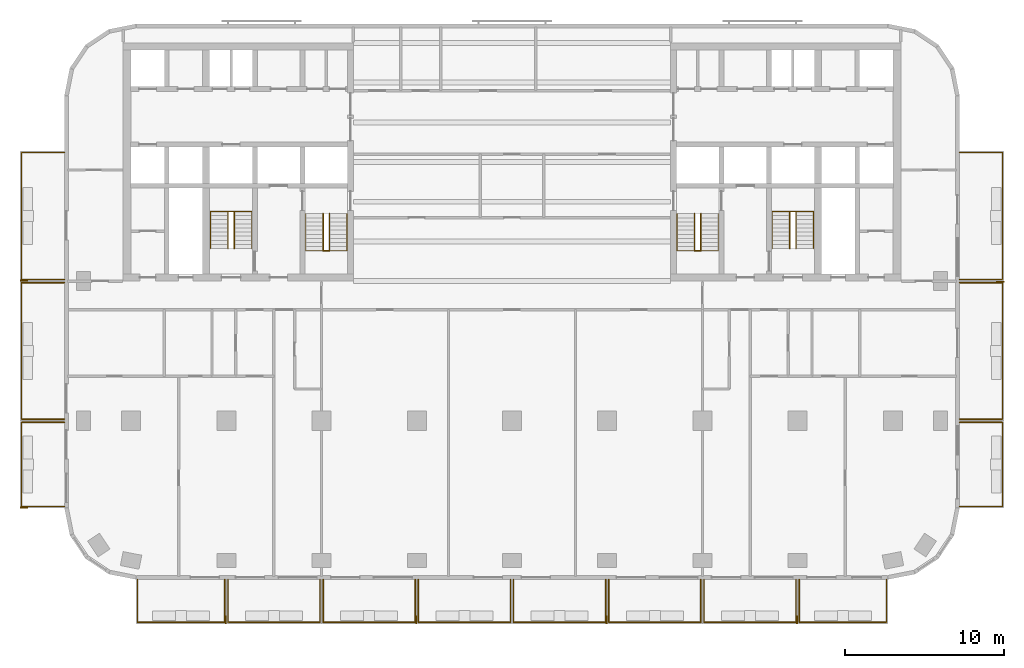
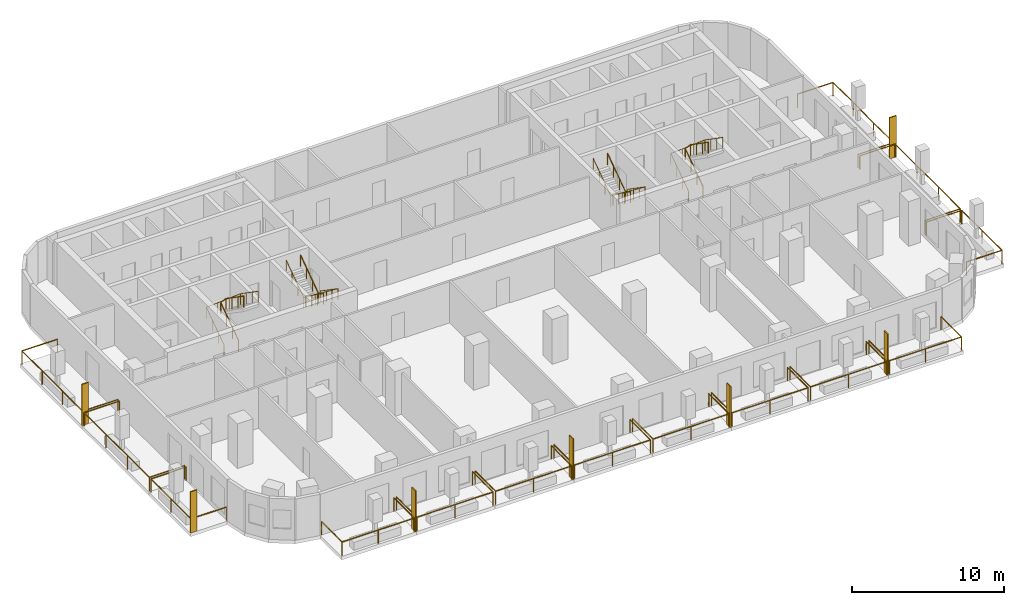
# One storey, part 9 of 11: 22 railings, 7 shading devices.
"""IFC4 building model written with IfcOpenShell, lengths in metres."""

from ifc_helpers import new_model, si_unit, direction, frame, origin, origin_2d, place, context, subcontext, project, spatial, rectangle, circle, extrude, material, layer, layer_set, type_object, element, save


model = new_model("IFC4")

# Units and contexts
model_context = context("Model", 3, precision=1e-05, world=origin(), true_north=direction((0.0, 1.0)))
body_context = subcontext(model_context, "Body", "Model", "MODEL_VIEW")
ifc_project = project(units=[si_unit("LENGTHUNIT", "METRE"), si_unit("AREAUNIT", "SQUARE_METRE"), si_unit("VOLUMEUNIT", "CUBIC_METRE"), si_unit("PLANEANGLEUNIT", "RADIAN"), si_unit("MASSUNIT", "GRAM", prefix="KILO")], contexts=[model_context])

# Site, building, storey
site_placement = place(None, origin())
site = spatial("IfcSite", under=ifc_project, at=site_placement, CompositionType="ELEMENT")
building_placement = place(site_placement, origin())
building = spatial("IfcBuilding", under=site, at=building_placement, Name="Torana Hotel and Residences", CompositionType="ELEMENT")
storey_placement = place(building_placement, frame((0.0, 0.0, 152.39990234375)))
storey = spatial("IfcBuildingStorey", under=building, at=storey_placement, Name="L39", CompositionType="ELEMENT", Elevation=152.39990234375)

# Shading devices
ifc_material_1 = material(Name="Black powder coated aluminium", Category="aluminium")
ifc_layer = layer(ifc_material_1, 0.080078125)
ifc_layer_set = layer_set([ifc_layer], Name="FN1 VERTICAL FIN 500x80")
shading_device_type = type_object("IfcShadingDeviceType", Name="FN1 VERTICAL FIN 500x80", PredefinedType="USERDEFINED", material=ifc_layer_set)
for number, where, z_axis, x_axis, name in (
    (1, (-18.0400390625, -36.35009765625, 0.0), (0.0, 0.0, 1.0), (-1.0, 0.0, 0.0), "Fin 01"),
    (2, (-6.0400390625, -36.35009765625, 0.0), (0.0, 0.0, 1.0), (-1.0, 0.0, 0.0), "Fin 03"),
    (3, (5.9599609375, -36.35009765625, 0.0), (0.0, 0.0, 1.0), (-1.0, 0.0, 0.0), "Fin 05"),
    (4, (17.9599609375, -36.35009765625, 0.0), (0.0, 0.0, 1.0), (-1.0, 0.0, 0.0), "Fin 07"),
    (5, (-30.75, -29.260009765625, 0.0), (0.0, 0.0, 1.0), (0.0, 1.0, 0.0), "Fin 09"),
    (6, (-30.75, -14.9599609375, 0.0), (0.0, 0.0, 1.0), (0.0, 1.0, 0.0), "Fin 11"),
    (7, (30.75, -15.0400390625, 0.0), (0.0, 0.0, 1.0), (0.0, -1.0, 0.0), "Fin 13"),
):
    element("IfcShadingDevice", number, at=place(storey_placement, frame(where, z_axis=z_axis, x_axis=x_axis)), inside=storey, type_object=shading_device_type, Name=name, ObjectType="FIN", PredefinedType="USERDEFINED", context=body_context, shape_type="SweptSolid", body=[
        extrude(rectangle(XDim=0.080078125, YDim=0.5, at=origin_2d()), origin(), (0.0, 0.0, 1.0), 3.320068359375),
    ])

# Railings
ifc_material_2 = material(Name="Laminated glass balustrade with black handrail", Category="glass")
railing_type_1 = type_object("IfcRailingType", Name="GR1 BALCONY GUARD 1100 GLASS", PredefinedType="GUARDRAIL", material=ifc_material_2)
railing_1_placement = place(storey_placement, frame((-18.10009765625, -33.800048828125, 0.0)))
element("IfcRailing", 8, at=railing_1_placement, inside=storey, type_object=railing_type_1, Name="Balcony guard 01", PredefinedType="GUARDRAIL", context=body_context, shape_type="SweptSolid", body=[
    extrude(circle(Radius=0.02392578125, at=origin_2d()), frame((0.0, 0.0, 1.076171875), z_axis=(0.0, -1.0, 0.0), x_axis=(1.0, 0.0, 0.0)), (0.0, 0.0, 1.0), 2.699951171875),
    extrude(circle(Radius=0.02392578125, at=origin_2d()), frame((0.0, -2.699951171875, 1.076171875), z_axis=(-1.0, 0.0, 0.0), x_axis=(0.0, -1.0, 0.0)), (0.0, 0.0, 1.0), 5.5),
    extrude(circle(Radius=0.02392578125, at=origin_2d()), frame((-5.5, -2.699951171875, 1.076171875), z_axis=(0.0, 1.0, 0.0), x_axis=(-1.0, 0.0, 0.0)), (0.0, 0.0, 1.0), 2.699951171875),
    extrude(circle(Radius=0.02099609375, at=origin_2d()), origin(), (0.0, 0.0, 1.0), 1.052001953125),
    extrude(circle(Radius=0.02099609375, at=origin_2d()), frame((0.0, -2.699951171875, 0.0)), (0.0, 0.0, 1.0), 1.052001953125),
    extrude(circle(Radius=0.02099609375, at=origin_2d()), frame((-2.75, -2.699951171875, 0.0)), (0.0, 0.0, 1.0), 1.052001953125),
    extrude(circle(Radius=0.02099609375, at=origin_2d()), frame((-5.5, -2.699951171875, 0.0)), (0.0, 0.0, 1.0), 1.052001953125),
    extrude(circle(Radius=0.02099609375, at=origin_2d()), frame((-5.5, 0.0, 0.0)), (0.0, 0.0, 1.0), 1.052001953125),
])
for number, where, name in (
    (9, (-12.10009765625, -33.800048828125, 0.0), "Balcony guard 02"),
    (10, (-6.10009765625, -33.800048828125, 0.0), "Balcony guard 03"),
    (11, (-0.10009765625, -33.800048828125, 0.0), "Balcony guard 04"),
    (12, (5.89990234375, -33.800048828125, 0.0), "Balcony guard 05"),
    (13, (11.89990234375, -33.800048828125, 0.0), "Balcony guard 06"),
    (14, (17.89990234375, -33.800048828125, 0.0), "Balcony guard 07"),
):
    element("IfcRailing", number, at=place(storey_placement, frame(where)), inside=storey, type_object=railing_type_1, Name=name, PredefinedType="GUARDRAIL", context=body_context, shape_type="SweptSolid", body=[
        extrude(circle(Radius=0.02392578125, at=origin_2d()), frame((0.0, 0.0, 1.076171875), z_axis=(0.0, -1.0, 0.0), x_axis=(1.0, 0.0, 0.0)), (0.0, 0.0, 1.0), 2.699951171875),
        extrude(circle(Radius=0.02392578125, at=origin_2d()), frame((0.0, -2.699951171875, 1.076171875), z_axis=(-1.0, 0.0, 0.0), x_axis=(0.0, -1.0, 0.0)), (0.0, 0.0, 1.0), 5.7998046875),
        extrude(circle(Radius=0.02392578125, at=origin_2d()), frame((-5.7998046875, -2.699951171875, 1.076171875), z_axis=(0.0, 1.0, 0.0), x_axis=(-1.0, 0.0, 0.0)), (0.0, 0.0, 1.0), 2.699951171875),
        extrude(circle(Radius=0.02099609375, at=origin_2d()), origin(), (0.0, 0.0, 1.0), 1.052001953125),
        extrude(circle(Radius=0.02099609375, at=origin_2d()), frame((0.0, -2.699951171875, 0.0)), (0.0, 0.0, 1.0), 1.052001953125),
        extrude(circle(Radius=0.02099609375, at=origin_2d()), frame((-2.89990234375, -2.699951171875, 0.0)), (0.0, 0.0, 1.0), 1.052001953125),
        extrude(circle(Radius=0.02099609375, at=origin_2d()), frame((-5.7998046875, -2.699951171875, 0.0)), (0.0, 0.0, 1.0), 1.052001953125),
        extrude(circle(Radius=0.02099609375, at=origin_2d()), frame((-5.7998046875, 0.0, 0.0)), (0.0, 0.0, 1.0), 1.052001953125),
    ])
railing_2_placement = place(storey_placement, frame((23.60009765625, -33.800048828125, 0.0)))
element("IfcRailing", 15, at=railing_2_placement, inside=storey, type_object=railing_type_1, Name="Balcony guard 08", PredefinedType="GUARDRAIL", context=body_context, shape_type="SweptSolid", body=[
    extrude(circle(Radius=0.02392578125, at=origin_2d()), frame((0.0, 0.0, 1.076171875), z_axis=(0.0, -1.0, 0.0), x_axis=(1.0, 0.0, 0.0)), (0.0, 0.0, 1.0), 2.699951171875),
    extrude(circle(Radius=0.02392578125, at=origin_2d()), frame((0.0, -2.699951171875, 1.076171875), z_axis=(-1.0, 0.0, 0.0), x_axis=(0.0, -1.0, 0.0)), (0.0, 0.0, 1.0), 5.5),
    extrude(circle(Radius=0.02392578125, at=origin_2d()), frame((-5.5, -2.699951171875, 1.076171875), z_axis=(0.0, 1.0, 0.0), x_axis=(-1.0, 0.0, 0.0)), (0.0, 0.0, 1.0), 2.699951171875),
    extrude(circle(Radius=0.02099609375, at=origin_2d()), origin(), (0.0, 0.0, 1.0), 1.052001953125),
    extrude(circle(Radius=0.02099609375, at=origin_2d()), frame((0.0, -2.699951171875, 0.0)), (0.0, 0.0, 1.0), 1.052001953125),
    extrude(circle(Radius=0.02099609375, at=origin_2d()), frame((-2.75, -2.699951171875, 0.0)), (0.0, 0.0, 1.0), 1.052001953125),
    extrude(circle(Radius=0.02099609375, at=origin_2d()), frame((-5.5, -2.699951171875, 0.0)), (0.0, 0.0, 1.0), 1.052001953125),
    extrude(circle(Radius=0.02099609375, at=origin_2d()), frame((-5.5, 0.0, 0.0)), (0.0, 0.0, 1.0), 1.052001953125),
])
railing_3_placement = place(storey_placement, frame((-28.199951171875, -29.199951171875, 0.0)))
element("IfcRailing", 16, at=railing_3_placement, inside=storey, type_object=railing_type_1, Name="Balcony guard 09", PredefinedType="GUARDRAIL", context=body_context, shape_type="SweptSolid", body=[
    extrude(circle(Radius=0.02392578125, at=origin_2d()), frame((0.0, 0.0, 1.076171875), z_axis=(-1.0, 0.0, 0.0), x_axis=(0.0, -1.0, 0.0)), (0.0, 0.0, 1.0), 2.699951171875),
    extrude(circle(Radius=0.02392578125, at=origin_2d()), frame((-2.699951171875, 0.0, 1.076171875), z_axis=(0.0, 1.0, 0.0), x_axis=(-1.0, 0.0, 0.0)), (0.0, 0.0, 1.0), 5.300048828125),
    extrude(circle(Radius=0.02392578125, at=origin_2d()), frame((-2.699951171875, 5.300048828125, 1.076171875), z_axis=(1.0, 0.0, 0.0), x_axis=(0.0, 1.0, 0.0)), (0.0, 0.0, 1.0), 2.699951171875),
    extrude(circle(Radius=0.02099609375, at=origin_2d()), origin(), (0.0, 0.0, 1.0), 1.052001953125),
    extrude(circle(Radius=0.02099609375, at=origin_2d()), frame((-2.699951171875, 0.0, 0.0)), (0.0, 0.0, 1.0), 1.052001953125),
    extrude(circle(Radius=0.02099609375, at=origin_2d()), frame((-2.699951171875, 2.64990234375, 0.0)), (0.0, 0.0, 1.0), 1.052001953125),
    extrude(circle(Radius=0.02099609375, at=origin_2d()), frame((-2.699951171875, 5.300048828125, 0.0)), (0.0, 0.0, 1.0), 1.052001953125),
    extrude(circle(Radius=0.02099609375, at=origin_2d()), frame((0.0, 5.300048828125, 0.0)), (0.0, 0.0, 1.0), 1.052001953125),
])
railing_4_placement = place(storey_placement, frame((-28.199951171875, -23.699951171875, 0.0)))
element("IfcRailing", 17, at=railing_4_placement, inside=storey, type_object=railing_type_1, Name="Balcony guard 10", PredefinedType="GUARDRAIL", context=body_context, shape_type="SweptSolid", body=[
    extrude(circle(Radius=0.02392578125, at=origin_2d()), frame((0.0, 0.0, 1.076171875), z_axis=(-1.0, 0.0, 0.0), x_axis=(0.0, -1.0, 0.0)), (0.0, 0.0, 1.0), 2.699951171875),
    extrude(circle(Radius=0.02392578125, at=origin_2d()), frame((-2.699951171875, 0.0, 1.076171875), z_axis=(0.0, 1.0, 0.0), x_axis=(-1.0, 0.0, 0.0)), (0.0, 0.0, 1.0), 8.599853515625),
    extrude(circle(Radius=0.02392578125, at=origin_2d()), frame((-2.699951171875, 8.599853515625, 1.076171875), z_axis=(1.0, 0.0, 0.0), x_axis=(0.0, 1.0, 0.0)), (0.0, 0.0, 1.0), 2.699951171875),
    extrude(circle(Radius=0.02099609375, at=origin_2d()), origin(), (0.0, 0.0, 1.0), 1.052001953125),
    extrude(circle(Radius=0.02099609375, at=origin_2d()), frame((-2.699951171875, 0.0, 0.0)), (0.0, 0.0, 1.0), 1.052001953125),
    extrude(circle(Radius=0.02099609375, at=origin_2d()), frame((-2.699951171875, 2.86669921875, 0.0)), (0.0, 0.0, 1.0), 1.052001953125),
    extrude(circle(Radius=0.02099609375, at=origin_2d()), frame((-2.699951171875, 5.733154296875, 0.0)), (0.0, 0.0, 1.0), 1.052001953125),
    extrude(circle(Radius=0.02099609375, at=origin_2d()), frame((-2.699951171875, 8.599853515625, 0.0)), (0.0, 0.0, 1.0), 1.052001953125),
    extrude(circle(Radius=0.02099609375, at=origin_2d()), frame((0.0, 8.599853515625, 0.0)), (0.0, 0.0, 1.0), 1.052001953125),
])
railing_5_placement = place(storey_placement, frame((-28.199951171875, -14.89990234375, 0.0)))
element("IfcRailing", 18, at=railing_5_placement, inside=storey, type_object=railing_type_1, Name="Balcony guard 11", PredefinedType="GUARDRAIL", context=body_context, shape_type="SweptSolid", body=[
    extrude(circle(Radius=0.02392578125, at=origin_2d()), frame((0.0, 0.0, 1.076171875), z_axis=(-1.0, 0.0, 0.0), x_axis=(0.0, -1.0, 0.0)), (0.0, 0.0, 1.0), 2.699951171875),
    extrude(circle(Radius=0.02392578125, at=origin_2d()), frame((-2.699951171875, 0.0, 1.076171875), z_axis=(0.0, 1.0, 0.0), x_axis=(-1.0, 0.0, 0.0)), (0.0, 0.0, 1.0), 8.0),
    extrude(circle(Radius=0.02392578125, at=origin_2d()), frame((-2.699951171875, 8.0, 1.076171875), z_axis=(1.0, 0.0, 0.0), x_axis=(0.0, 1.0, 0.0)), (0.0, 0.0, 1.0), 2.699951171875),
    extrude(circle(Radius=0.02099609375, at=origin_2d()), origin(), (0.0, 0.0, 1.0), 1.052001953125),
    extrude(circle(Radius=0.02099609375, at=origin_2d()), frame((-2.699951171875, 0.0, 0.0)), (0.0, 0.0, 1.0), 1.052001953125),
    extrude(circle(Radius=0.02099609375, at=origin_2d()), frame((-2.699951171875, 2.666748046875, 0.0)), (0.0, 0.0, 1.0), 1.052001953125),
    extrude(circle(Radius=0.02099609375, at=origin_2d()), frame((-2.699951171875, 5.333251953125, 0.0)), (0.0, 0.0, 1.0), 1.052001953125),
    extrude(circle(Radius=0.02099609375, at=origin_2d()), frame((-2.699951171875, 8.0, 0.0)), (0.0, 0.0, 1.0), 1.052001953125),
    extrude(circle(Radius=0.02099609375, at=origin_2d()), frame((0.0, 8.0, 0.0)), (0.0, 0.0, 1.0), 1.052001953125),
])
railing_6_placement = place(storey_placement, frame((28.199951171875, -23.89990234375, 0.0)))
element("IfcRailing", 19, at=railing_6_placement, inside=storey, type_object=railing_type_1, Name="Balcony guard 12", PredefinedType="GUARDRAIL", context=body_context, shape_type="SweptSolid", body=[
    extrude(circle(Radius=0.02392578125, at=origin_2d()), frame((0.0, 0.0, 1.076171875), z_axis=(1.0, 0.0, 0.0), x_axis=(0.0, 1.0, 0.0)), (0.0, 0.0, 1.0), 2.699951171875),
    extrude(circle(Radius=0.02392578125, at=origin_2d()), frame((2.699951171875, 0.0, 1.076171875), z_axis=(0.0, -1.0, 0.0), x_axis=(1.0, 0.0, 0.0)), (0.0, 0.0, 1.0), 5.300048828125),
    extrude(circle(Radius=0.02392578125, at=origin_2d()), frame((2.699951171875, -5.300048828125, 1.076171875), z_axis=(-1.0, 0.0, 0.0), x_axis=(0.0, -1.0, 0.0)), (0.0, 0.0, 1.0), 2.699951171875),
    extrude(circle(Radius=0.02099609375, at=origin_2d()), origin(), (0.0, 0.0, 1.0), 1.052001953125),
    extrude(circle(Radius=0.02099609375, at=origin_2d()), frame((2.699951171875, 0.0, 0.0)), (0.0, 0.0, 1.0), 1.052001953125),
    extrude(circle(Radius=0.02099609375, at=origin_2d()), frame((2.699951171875, -2.64990234375, 0.0)), (0.0, 0.0, 1.0), 1.052001953125),
    extrude(circle(Radius=0.02099609375, at=origin_2d()), frame((2.699951171875, -5.300048828125, 0.0)), (0.0, 0.0, 1.0), 1.052001953125),
    extrude(circle(Radius=0.02099609375, at=origin_2d()), frame((0.0, -5.300048828125, 0.0)), (0.0, 0.0, 1.0), 1.052001953125),
])
railing_7_placement = place(storey_placement, frame((28.199951171875, -15.10009765625, 0.0)))
element("IfcRailing", 20, at=railing_7_placement, inside=storey, type_object=railing_type_1, Name="Balcony guard 13", PredefinedType="GUARDRAIL", context=body_context, shape_type="SweptSolid", body=[
    extrude(circle(Radius=0.02392578125, at=origin_2d()), frame((0.0, 0.0, 1.076171875), z_axis=(1.0, 0.0, 0.0), x_axis=(0.0, 1.0, 0.0)), (0.0, 0.0, 1.0), 2.699951171875),
    extrude(circle(Radius=0.02392578125, at=origin_2d()), frame((2.699951171875, 0.0, 1.076171875), z_axis=(0.0, -1.0, 0.0), x_axis=(1.0, 0.0, 0.0)), (0.0, 0.0, 1.0), 8.599853515625),
    extrude(circle(Radius=0.02392578125, at=origin_2d()), frame((2.699951171875, -8.599853515625, 1.076171875), z_axis=(-1.0, 0.0, 0.0), x_axis=(0.0, -1.0, 0.0)), (0.0, 0.0, 1.0), 2.699951171875),
    extrude(circle(Radius=0.02099609375, at=origin_2d()), origin(), (0.0, 0.0, 1.0), 1.052001953125),
    extrude(circle(Radius=0.02099609375, at=origin_2d()), frame((2.699951171875, 0.0, 0.0)), (0.0, 0.0, 1.0), 1.052001953125),
    extrude(circle(Radius=0.02099609375, at=origin_2d()), frame((2.699951171875, -2.86669921875, 0.0)), (0.0, 0.0, 1.0), 1.052001953125),
    extrude(circle(Radius=0.02099609375, at=origin_2d()), frame((2.699951171875, -5.733154296875, 0.0)), (0.0, 0.0, 1.0), 1.052001953125),
    extrude(circle(Radius=0.02099609375, at=origin_2d()), frame((2.699951171875, -8.599853515625, 0.0)), (0.0, 0.0, 1.0), 1.052001953125),
    extrude(circle(Radius=0.02099609375, at=origin_2d()), frame((0.0, -8.599853515625, 0.0)), (0.0, 0.0, 1.0), 1.052001953125),
])
railing_8_placement = place(storey_placement, frame((28.199951171875, -6.89990234375, 0.0)))
element("IfcRailing", 21, at=railing_8_placement, inside=storey, type_object=railing_type_1, Name="Balcony guard 14", PredefinedType="GUARDRAIL", context=body_context, shape_type="SweptSolid", body=[
    extrude(circle(Radius=0.02392578125, at=origin_2d()), frame((0.0, 0.0, 1.076171875), z_axis=(1.0, 0.0, 0.0), x_axis=(0.0, 1.0, 0.0)), (0.0, 0.0, 1.0), 2.699951171875),
    extrude(circle(Radius=0.02392578125, at=origin_2d()), frame((2.699951171875, 0.0, 1.076171875), z_axis=(0.0, -1.0, 0.0), x_axis=(1.0, 0.0, 0.0)), (0.0, 0.0, 1.0), 8.0),
    extrude(circle(Radius=0.02392578125, at=origin_2d()), frame((2.699951171875, -8.0, 1.076171875), z_axis=(-1.0, 0.0, 0.0), x_axis=(0.0, -1.0, 0.0)), (0.0, 0.0, 1.0), 2.699951171875),
    extrude(circle(Radius=0.02099609375, at=origin_2d()), origin(), (0.0, 0.0, 1.0), 1.052001953125),
    extrude(circle(Radius=0.02099609375, at=origin_2d()), frame((2.699951171875, 0.0, 0.0)), (0.0, 0.0, 1.0), 1.052001953125),
    extrude(circle(Radius=0.02099609375, at=origin_2d()), frame((2.699951171875, -2.666748046875, 0.0)), (0.0, 0.0, 1.0), 1.052001953125),
    extrude(circle(Radius=0.02099609375, at=origin_2d()), frame((2.699951171875, -5.333251953125, 0.0)), (0.0, 0.0, 1.0), 1.052001953125),
    extrude(circle(Radius=0.02099609375, at=origin_2d()), frame((2.699951171875, -8.0, 0.0)), (0.0, 0.0, 1.0), 1.052001953125),
    extrude(circle(Radius=0.02099609375, at=origin_2d()), frame((0.0, -8.0, 0.0)), (0.0, 0.0, 1.0), 1.052001953125),
])
ifc_material_3 = material(Name="Stainless steel 316", Category="steel")
railing_type_2 = type_object("IfcRailingType", Name="STAIR HANDRAIL HR1 900", PredefinedType="HANDRAIL", material=ifc_material_3)
railing_9_placement = place(storey_placement, frame((-10.39990234375, -10.75, 0.18017578125)))
element("IfcRailing", 22, at=railing_9_placement, inside=storey, type_object=railing_type_2, Name="Handrail ST1 L39 O1", PredefinedType="HANDRAIL", context=body_context, shape_type="SweptSolid", body=[
    extrude(circle(Radius=0.02392578125, at=origin_2d()), frame((0.0, 0.0, 0.8759765625), z_axis=(0.0, -0.822223072051, 0.569165371211), x_axis=(1.0, 0.0, 0.0)), (0.0, 0.0, 1.0), 2.845947265625),
    extrude(circle(Radius=0.02392578125, at=origin_2d()), frame((0.0, -2.340087890625, 2.49560546875), z_axis=(-0.997614115953, 0.0, 0.069036770278), x_axis=(0.0, -1.0, 0.0)), (0.0, 0.0, 1.0), 2.606201171875),
    extrude(circle(Radius=0.02392578125, at=origin_2d()), frame((-2.60009765625, -2.340087890625, 2.67578125), z_axis=(0.0, 0.822182927502, 0.569223360136), x_axis=(-1.0, 0.0, 0.0)), (0.0, 0.0, 1.0), 2.84619140625),
    extrude(circle(Radius=0.02099609375, at=origin_2d()), origin(), (0.0, 0.0, 1.0), 0.851806640625),
    extrude(circle(Radius=0.02099609375, at=origin_2d()), frame((0.0, -0.780029296875, 0.5400390625)), (0.0, 0.0, 1.0), 0.851806640625),
    extrude(circle(Radius=0.02099609375, at=origin_2d()), frame((0.0, -1.56005859375, 1.079833984375)), (0.0, 0.0, 1.0), 0.851806640625),
    extrude(circle(Radius=0.02099609375, at=origin_2d()), frame((0.0, -2.340087890625, 1.619873046875)), (0.0, 0.0, 1.0), 0.851806640625),
    extrude(circle(Radius=0.02099609375, at=origin_2d()), frame((-0.86669921875, -2.340087890625, 1.679931640625)), (0.0, 0.0, 1.0), 0.851806640625),
    extrude(circle(Radius=0.02099609375, at=origin_2d()), frame((-1.7333984375, -2.340087890625, 1.73974609375)), (0.0, 0.0, 1.0), 0.851806640625),
    extrude(circle(Radius=0.02099609375, at=origin_2d()), frame((-2.60009765625, -2.340087890625, 1.7998046875)), (0.0, 0.0, 1.0), 0.851806640625),
    extrude(circle(Radius=0.02099609375, at=origin_2d()), frame((-2.60009765625, -1.56005859375, 2.33984375)), (0.0, 0.0, 1.0), 0.851806640625),
    extrude(circle(Radius=0.02099609375, at=origin_2d()), frame((-2.60009765625, -0.780029296875, 2.8798828125)), (0.0, 0.0, 1.0), 0.851806640625),
    extrude(circle(Radius=0.02099609375, at=origin_2d()), frame((-2.60009765625, 0.0, 3.419921875)), (0.0, 0.0, 1.0), 0.851806640625),
])
railing_10_placement = place(storey_placement, frame((-11.5, -10.75, 0.18017578125)))
element("IfcRailing", 23, at=railing_10_placement, inside=storey, type_object=railing_type_2, Name="Handrail ST1 L39 I1", PredefinedType="HANDRAIL", context=body_context, shape_type="SweptSolid", body=[
    extrude(circle(Radius=0.02392578125, at=origin_2d()), frame((0.0, 0.0, 0.8759765625), z_axis=(0.0, -0.822223072051, 0.569165371211), x_axis=(1.0, 0.0, 0.0)), (0.0, 0.0, 1.0), 2.845947265625),
    extrude(circle(Radius=0.02392578125, at=origin_2d()), frame((0.0, -2.340087890625, 2.49560546875), z_axis=(-0.911942338396, 0.0, 0.410318378143), x_axis=(0.0, -1.0, 0.0)), (0.0, 0.0, 1.0), 0.4384765625),
    extrude(circle(Radius=0.02392578125, at=origin_2d()), frame((-0.39990234375, -2.340087890625, 2.67578125), z_axis=(0.0, 0.822182927502, 0.569223360136), x_axis=(-1.0, 0.0, 0.0)), (0.0, 0.0, 1.0), 2.84619140625),
    extrude(circle(Radius=0.02099609375, at=origin_2d()), origin(), (0.0, 0.0, 1.0), 0.851806640625),
    extrude(circle(Radius=0.02099609375, at=origin_2d()), frame((0.0, -0.780029296875, 0.5400390625)), (0.0, 0.0, 1.0), 0.851806640625),
    extrude(circle(Radius=0.02099609375, at=origin_2d()), frame((0.0, -1.56005859375, 1.079833984375)), (0.0, 0.0, 1.0), 0.851806640625),
    extrude(circle(Radius=0.02099609375, at=origin_2d()), frame((0.0, -2.340087890625, 1.619873046875)), (0.0, 0.0, 1.0), 0.851806640625),
    extrude(circle(Radius=0.02099609375, at=origin_2d()), frame((-0.39990234375, -2.340087890625, 1.7998046875)), (0.0, 0.0, 1.0), 0.851806640625),
    extrude(circle(Radius=0.02099609375, at=origin_2d()), frame((-0.39990234375, -1.56005859375, 2.33984375)), (0.0, 0.0, 1.0), 0.851806640625),
    extrude(circle(Radius=0.02099609375, at=origin_2d()), frame((-0.39990234375, -0.780029296875, 2.8798828125)), (0.0, 0.0, 1.0), 0.851806640625),
    extrude(circle(Radius=0.02099609375, at=origin_2d()), frame((-0.39990234375, 0.0, 3.419921875)), (0.0, 0.0, 1.0), 0.851806640625),
])
railing_11_placement = place(storey_placement, frame((-19.0, -12.949951171875, 0.18017578125)))
element("IfcRailing", 24, at=railing_11_placement, inside=storey, type_object=railing_type_2, Name="Handrail ST2 L39 O1", PredefinedType="HANDRAIL", context=body_context, shape_type="SweptSolid", body=[
    extrude(circle(Radius=0.02392578125, at=origin_2d()), frame((0.0, 0.0, 0.8759765625), z_axis=(0.0, 0.822195280011, 0.569205517829), x_axis=(-1.0, 0.0, 0.0)), (0.0, 0.0, 1.0), 2.845947265625),
    extrude(circle(Radius=0.02392578125, at=origin_2d()), frame((0.0, 2.33984375, 2.49560546875), z_axis=(0.997614115953, 0.0, 0.069036770278), x_axis=(0.0, 1.0, 0.0)), (0.0, 0.0, 1.0), 2.606201171875),
    extrude(circle(Radius=0.02392578125, at=origin_2d()), frame((2.60009765625, 2.33984375, 2.67578125), z_axis=(0.0, -0.822155131156, 0.569263506923), x_axis=(1.0, 0.0, 0.0)), (0.0, 0.0, 1.0), 2.845947265625),
    extrude(circle(Radius=0.02099609375, at=origin_2d()), origin(), (0.0, 0.0, 1.0), 0.851806640625),
    extrude(circle(Radius=0.02099609375, at=origin_2d()), frame((0.0, 0.780029296875, 0.5400390625)), (0.0, 0.0, 1.0), 0.851806640625),
    extrude(circle(Radius=0.02099609375, at=origin_2d()), frame((0.0, 1.559814453125, 1.079833984375)), (0.0, 0.0, 1.0), 0.851806640625),
    extrude(circle(Radius=0.02099609375, at=origin_2d()), frame((0.0, 2.33984375, 1.619873046875)), (0.0, 0.0, 1.0), 0.851806640625),
    extrude(circle(Radius=0.02099609375, at=origin_2d()), frame((0.86669921875, 2.33984375, 1.679931640625)), (0.0, 0.0, 1.0), 0.851806640625),
    extrude(circle(Radius=0.02099609375, at=origin_2d()), frame((1.7333984375, 2.33984375, 1.73974609375)), (0.0, 0.0, 1.0), 0.851806640625),
    extrude(circle(Radius=0.02099609375, at=origin_2d()), frame((2.60009765625, 2.33984375, 1.7998046875)), (0.0, 0.0, 1.0), 0.851806640625),
    extrude(circle(Radius=0.02099609375, at=origin_2d()), frame((2.60009765625, 1.559814453125, 2.33984375)), (0.0, 0.0, 1.0), 0.851806640625),
    extrude(circle(Radius=0.02099609375, at=origin_2d()), frame((2.60009765625, 0.780029296875, 2.8798828125)), (0.0, 0.0, 1.0), 0.851806640625),
    extrude(circle(Radius=0.02099609375, at=origin_2d()), frame((2.60009765625, 0.0, 3.419921875)), (0.0, 0.0, 1.0), 0.851806640625),
])
railing_12_placement = place(storey_placement, frame((-17.89990234375, -12.949951171875, 0.18017578125)))
element("IfcRailing", 25, at=railing_12_placement, inside=storey, type_object=railing_type_2, Name="Handrail ST2 L39 I1", PredefinedType="HANDRAIL", context=body_context, shape_type="SweptSolid", body=[
    extrude(circle(Radius=0.02392578125, at=origin_2d()), frame((0.0, 0.0, 0.8759765625), z_axis=(0.0, 0.822195280011, 0.569205517829), x_axis=(-1.0, 0.0, 0.0)), (0.0, 0.0, 1.0), 2.845947265625),
    extrude(circle(Radius=0.02392578125, at=origin_2d()), frame((0.0, 2.33984375, 2.49560546875), z_axis=(0.911942338396, 0.0, 0.410318378143), x_axis=(0.0, 1.0, 0.0)), (0.0, 0.0, 1.0), 0.4384765625),
    extrude(circle(Radius=0.02392578125, at=origin_2d()), frame((0.39990234375, 2.33984375, 2.67578125), z_axis=(0.0, -0.822155131156, 0.569263506923), x_axis=(1.0, 0.0, 0.0)), (0.0, 0.0, 1.0), 2.845947265625),
    extrude(circle(Radius=0.02099609375, at=origin_2d()), origin(), (0.0, 0.0, 1.0), 0.851806640625),
    extrude(circle(Radius=0.02099609375, at=origin_2d()), frame((0.0, 0.780029296875, 0.5400390625)), (0.0, 0.0, 1.0), 0.851806640625),
    extrude(circle(Radius=0.02099609375, at=origin_2d()), frame((0.0, 1.559814453125, 1.079833984375)), (0.0, 0.0, 1.0), 0.851806640625),
    extrude(circle(Radius=0.02099609375, at=origin_2d()), frame((0.0, 2.33984375, 1.619873046875)), (0.0, 0.0, 1.0), 0.851806640625),
    extrude(circle(Radius=0.02099609375, at=origin_2d()), frame((0.39990234375, 2.33984375, 1.7998046875)), (0.0, 0.0, 1.0), 0.851806640625),
    extrude(circle(Radius=0.02099609375, at=origin_2d()), frame((0.39990234375, 1.559814453125, 2.33984375)), (0.0, 0.0, 1.0), 0.851806640625),
    extrude(circle(Radius=0.02099609375, at=origin_2d()), frame((0.39990234375, 0.780029296875, 2.8798828125)), (0.0, 0.0, 1.0), 0.851806640625),
    extrude(circle(Radius=0.02099609375, at=origin_2d()), frame((0.39990234375, 0.0, 3.419921875)), (0.0, 0.0, 1.0), 0.851806640625),
])
railing_13_placement = place(storey_placement, frame((13.0, -10.75, 0.18017578125)))
element("IfcRailing", 26, at=railing_13_placement, inside=storey, type_object=railing_type_2, Name="Handrail ST3 L39 O1", PredefinedType="HANDRAIL", context=body_context, shape_type="SweptSolid", body=[
    extrude(circle(Radius=0.02392578125, at=origin_2d()), frame((0.0, 0.0, 0.8759765625), z_axis=(0.0, -0.822223072051, 0.569165371211), x_axis=(1.0, 0.0, 0.0)), (0.0, 0.0, 1.0), 2.845947265625),
    extrude(circle(Radius=0.02392578125, at=origin_2d()), frame((0.0, -2.340087890625, 2.49560546875), z_axis=(-0.997614115953, 0.0, 0.069036770278), x_axis=(0.0, -1.0, 0.0)), (0.0, 0.0, 1.0), 2.606201171875),
    extrude(circle(Radius=0.02392578125, at=origin_2d()), frame((-2.60009765625, -2.340087890625, 2.67578125), z_axis=(0.0, 0.822182927502, 0.569223360136), x_axis=(-1.0, 0.0, 0.0)), (0.0, 0.0, 1.0), 2.84619140625),
    extrude(circle(Radius=0.02099609375, at=origin_2d()), origin(), (0.0, 0.0, 1.0), 0.851806640625),
    extrude(circle(Radius=0.02099609375, at=origin_2d()), frame((0.0, -0.780029296875, 0.5400390625)), (0.0, 0.0, 1.0), 0.851806640625),
    extrude(circle(Radius=0.02099609375, at=origin_2d()), frame((0.0, -1.56005859375, 1.079833984375)), (0.0, 0.0, 1.0), 0.851806640625),
    extrude(circle(Radius=0.02099609375, at=origin_2d()), frame((0.0, -2.340087890625, 1.619873046875)), (0.0, 0.0, 1.0), 0.851806640625),
    extrude(circle(Radius=0.02099609375, at=origin_2d()), frame((-0.86669921875, -2.340087890625, 1.679931640625)), (0.0, 0.0, 1.0), 0.851806640625),
    extrude(circle(Radius=0.02099609375, at=origin_2d()), frame((-1.7333984375, -2.340087890625, 1.73974609375)), (0.0, 0.0, 1.0), 0.851806640625),
    extrude(circle(Radius=0.02099609375, at=origin_2d()), frame((-2.60009765625, -2.340087890625, 1.7998046875)), (0.0, 0.0, 1.0), 0.851806640625),
    extrude(circle(Radius=0.02099609375, at=origin_2d()), frame((-2.60009765625, -1.56005859375, 2.33984375)), (0.0, 0.0, 1.0), 0.851806640625),
    extrude(circle(Radius=0.02099609375, at=origin_2d()), frame((-2.60009765625, -0.780029296875, 2.8798828125)), (0.0, 0.0, 1.0), 0.851806640625),
    extrude(circle(Radius=0.02099609375, at=origin_2d()), frame((-2.60009765625, 0.0, 3.419921875)), (0.0, 0.0, 1.0), 0.851806640625),
])
railing_14_placement = place(storey_placement, frame((11.89990234375, -10.75, 0.18017578125)))
element("IfcRailing", 27, at=railing_14_placement, inside=storey, type_object=railing_type_2, Name="Handrail ST3 L39 I1", PredefinedType="HANDRAIL", context=body_context, shape_type="SweptSolid", body=[
    extrude(circle(Radius=0.02392578125, at=origin_2d()), frame((0.0, 0.0, 0.8759765625), z_axis=(0.0, -0.822223072051, 0.569165371211), x_axis=(1.0, 0.0, 0.0)), (0.0, 0.0, 1.0), 2.845947265625),
    extrude(circle(Radius=0.02392578125, at=origin_2d()), frame((0.0, -2.340087890625, 2.49560546875), z_axis=(-0.911942338396, 0.0, 0.410318378143), x_axis=(0.0, -1.0, 0.0)), (0.0, 0.0, 1.0), 0.4384765625),
    extrude(circle(Radius=0.02392578125, at=origin_2d()), frame((-0.39990234375, -2.340087890625, 2.67578125), z_axis=(0.0, 0.822182927502, 0.569223360136), x_axis=(-1.0, 0.0, 0.0)), (0.0, 0.0, 1.0), 2.84619140625),
    extrude(circle(Radius=0.02099609375, at=origin_2d()), origin(), (0.0, 0.0, 1.0), 0.851806640625),
    extrude(circle(Radius=0.02099609375, at=origin_2d()), frame((0.0, -0.780029296875, 0.5400390625)), (0.0, 0.0, 1.0), 0.851806640625),
    extrude(circle(Radius=0.02099609375, at=origin_2d()), frame((0.0, -1.56005859375, 1.079833984375)), (0.0, 0.0, 1.0), 0.851806640625),
    extrude(circle(Radius=0.02099609375, at=origin_2d()), frame((0.0, -2.340087890625, 1.619873046875)), (0.0, 0.0, 1.0), 0.851806640625),
    extrude(circle(Radius=0.02099609375, at=origin_2d()), frame((-0.39990234375, -2.340087890625, 1.7998046875)), (0.0, 0.0, 1.0), 0.851806640625),
    extrude(circle(Radius=0.02099609375, at=origin_2d()), frame((-0.39990234375, -1.56005859375, 2.33984375)), (0.0, 0.0, 1.0), 0.851806640625),
    extrude(circle(Radius=0.02099609375, at=origin_2d()), frame((-0.39990234375, -0.780029296875, 2.8798828125)), (0.0, 0.0, 1.0), 0.851806640625),
    extrude(circle(Radius=0.02099609375, at=origin_2d()), frame((-0.39990234375, 0.0, 3.419921875)), (0.0, 0.0, 1.0), 0.851806640625),
])
railing_15_placement = place(storey_placement, frame((16.39990234375, -12.949951171875, 0.18017578125)))
element("IfcRailing", 28, at=railing_15_placement, inside=storey, type_object=railing_type_2, Name="Handrail ST4 L39 O1", PredefinedType="HANDRAIL", context=body_context, shape_type="SweptSolid", body=[
    extrude(circle(Radius=0.02392578125, at=origin_2d()), frame((0.0, 0.0, 0.8759765625), z_axis=(0.0, 0.822195280011, 0.569205517829), x_axis=(-1.0, 0.0, 0.0)), (0.0, 0.0, 1.0), 2.845947265625),
    extrude(circle(Radius=0.02392578125, at=origin_2d()), frame((0.0, 2.33984375, 2.49560546875), z_axis=(0.997614115953, 0.0, 0.069036770278), x_axis=(0.0, 1.0, 0.0)), (0.0, 0.0, 1.0), 2.606201171875),
    extrude(circle(Radius=0.02392578125, at=origin_2d()), frame((2.60009765625, 2.33984375, 2.67578125), z_axis=(0.0, -0.822155131156, 0.569263506923), x_axis=(1.0, 0.0, 0.0)), (0.0, 0.0, 1.0), 2.845947265625),
    extrude(circle(Radius=0.02099609375, at=origin_2d()), origin(), (0.0, 0.0, 1.0), 0.851806640625),
    extrude(circle(Radius=0.02099609375, at=origin_2d()), frame((0.0, 0.780029296875, 0.5400390625)), (0.0, 0.0, 1.0), 0.851806640625),
    extrude(circle(Radius=0.02099609375, at=origin_2d()), frame((0.0, 1.559814453125, 1.079833984375)), (0.0, 0.0, 1.0), 0.851806640625),
    extrude(circle(Radius=0.02099609375, at=origin_2d()), frame((0.0, 2.33984375, 1.619873046875)), (0.0, 0.0, 1.0), 0.851806640625),
    extrude(circle(Radius=0.02099609375, at=origin_2d()), frame((0.86669921875, 2.33984375, 1.679931640625)), (0.0, 0.0, 1.0), 0.851806640625),
    extrude(circle(Radius=0.02099609375, at=origin_2d()), frame((1.7333984375, 2.33984375, 1.73974609375)), (0.0, 0.0, 1.0), 0.851806640625),
    extrude(circle(Radius=0.02099609375, at=origin_2d()), frame((2.60009765625, 2.33984375, 1.7998046875)), (0.0, 0.0, 1.0), 0.851806640625),
    extrude(circle(Radius=0.02099609375, at=origin_2d()), frame((2.60009765625, 1.559814453125, 2.33984375)), (0.0, 0.0, 1.0), 0.851806640625),
    extrude(circle(Radius=0.02099609375, at=origin_2d()), frame((2.60009765625, 0.780029296875, 2.8798828125)), (0.0, 0.0, 1.0), 0.851806640625),
    extrude(circle(Radius=0.02099609375, at=origin_2d()), frame((2.60009765625, 0.0, 3.419921875)), (0.0, 0.0, 1.0), 0.851806640625),
])
railing_16_placement = place(storey_placement, frame((17.5, -12.949951171875, 0.18017578125)))
element("IfcRailing", 29, at=railing_16_placement, inside=storey, type_object=railing_type_2, Name="Handrail ST4 L39 I1", PredefinedType="HANDRAIL", context=body_context, shape_type="SweptSolid", body=[
    extrude(circle(Radius=0.02392578125, at=origin_2d()), frame((0.0, 0.0, 0.8759765625), z_axis=(0.0, 0.822195280011, 0.569205517829), x_axis=(-1.0, 0.0, 0.0)), (0.0, 0.0, 1.0), 2.845947265625),
    extrude(circle(Radius=0.02392578125, at=origin_2d()), frame((0.0, 2.33984375, 2.49560546875), z_axis=(0.911942338396, 0.0, 0.410318378143), x_axis=(0.0, 1.0, 0.0)), (0.0, 0.0, 1.0), 0.4384765625),
    extrude(circle(Radius=0.02392578125, at=origin_2d()), frame((0.39990234375, 2.33984375, 2.67578125), z_axis=(0.0, -0.822155131156, 0.569263506923), x_axis=(1.0, 0.0, 0.0)), (0.0, 0.0, 1.0), 2.845947265625),
    extrude(circle(Radius=0.02099609375, at=origin_2d()), origin(), (0.0, 0.0, 1.0), 0.851806640625),
    extrude(circle(Radius=0.02099609375, at=origin_2d()), frame((0.0, 0.780029296875, 0.5400390625)), (0.0, 0.0, 1.0), 0.851806640625),
    extrude(circle(Radius=0.02099609375, at=origin_2d()), frame((0.0, 1.559814453125, 1.079833984375)), (0.0, 0.0, 1.0), 0.851806640625),
    extrude(circle(Radius=0.02099609375, at=origin_2d()), frame((0.0, 2.33984375, 1.619873046875)), (0.0, 0.0, 1.0), 0.851806640625),
    extrude(circle(Radius=0.02099609375, at=origin_2d()), frame((0.39990234375, 2.33984375, 1.7998046875)), (0.0, 0.0, 1.0), 0.851806640625),
    extrude(circle(Radius=0.02099609375, at=origin_2d()), frame((0.39990234375, 1.559814453125, 2.33984375)), (0.0, 0.0, 1.0), 0.851806640625),
    extrude(circle(Radius=0.02099609375, at=origin_2d()), frame((0.39990234375, 0.780029296875, 2.8798828125)), (0.0, 0.0, 1.0), 0.851806640625),
    extrude(circle(Radius=0.02099609375, at=origin_2d()), frame((0.39990234375, 0.0, 3.419921875)), (0.0, 0.0, 1.0), 0.851806640625),
])

save(model, "model.ifc")
